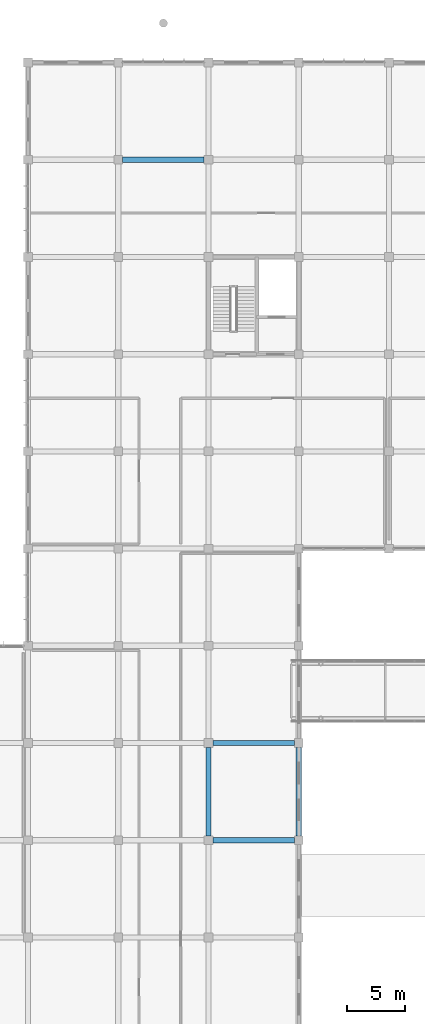
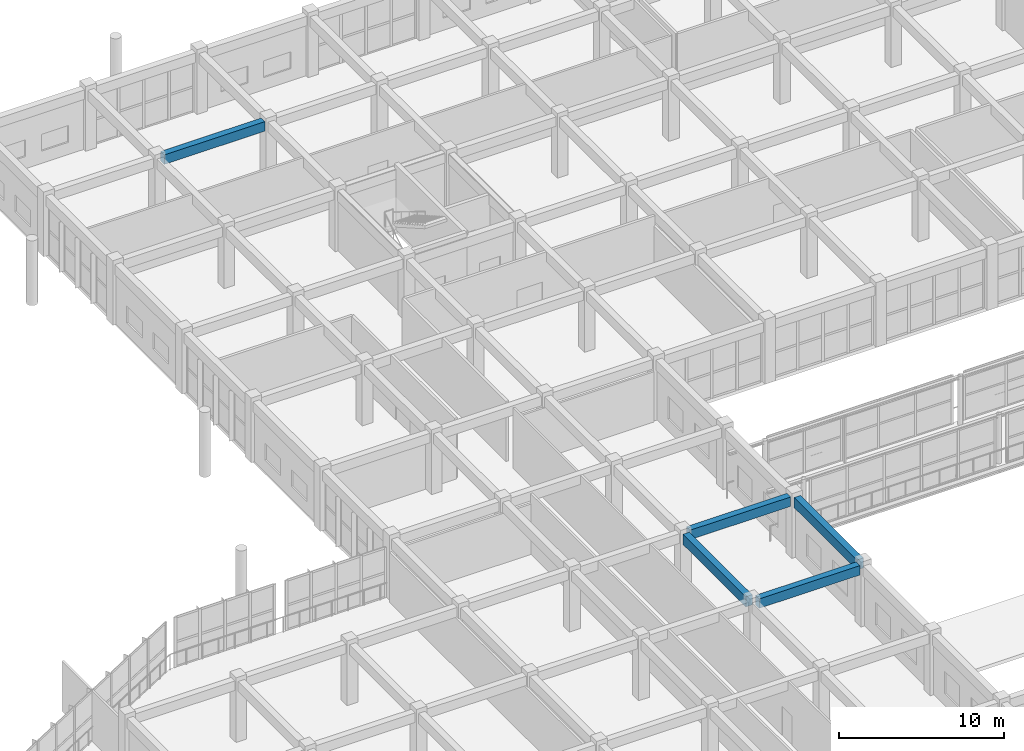
# One storey, part 56 of 167: 5 beams.
"""IFC4 building model written with IfcOpenShell, lengths in metres."""

from ifc_helpers import new_model, si_unit, direction, frame, origin, origin_2d, place, context, subcontext, project, spatial, rectangle, extrude, material, material_profile, profile_set, type_object, element, save


model = new_model("IFC4")

# Units and contexts
model_context = context("Model", 3, precision=1e-05, world=origin(), true_north=direction((0.0, 1.0)))
body_context = subcontext(model_context, "Body", "Model", "MODEL_VIEW")
ifc_project = project(units=[si_unit("LENGTHUNIT", "METRE"), si_unit("AREAUNIT", "SQUARE_METRE"), si_unit("VOLUMEUNIT", "CUBIC_METRE"), si_unit("PLANEANGLEUNIT", "RADIAN"), si_unit("MASSUNIT", "GRAM", prefix="KILO")], contexts=[model_context])

# Site, building, storey
site_placement = place(None, origin())
site = spatial("IfcSite", under=ifc_project, at=site_placement, CompositionType="ELEMENT")
building_placement = place(site_placement, origin())
building = spatial("IfcBuilding", under=site, at=building_placement, Name="Zizhar Promenade General Hospital", CompositionType="ELEMENT")
storey_placement = place(building_placement, frame((0.0, 0.0, 9.60009765625)))
storey = spatial("IfcBuildingStorey", under=building, at=storey_placement, Name="L02", CompositionType="ELEMENT", Elevation=9.60009765625)

# Beams
ifc_material_1 = material(Name="Concrete C35/45", Category="concrete")
ifc_material_profile_1 = material_profile(ifc_material_1, rectangle(XDim=0.449951171875, YDim=0.699951171875, at=origin_2d()))
ifc_profile_set_1 = profile_set([ifc_material_profile_1], Name="Concrete C35/45")
beam_type_1 = type_object("IfcBeamType", Name="BM-RC-450x700", PredefinedType="BEAM", material=ifc_profile_set_1)
beam_placement = place(storey_placement, frame((54.97509765625, 126.0, 4.119873046875), z_axis=(1.0, 0.0, 0.0), x_axis=(0.0, 1.0, 0.0)))
element("IfcBeam", 1, at=beam_placement, inside=storey, type_object=beam_type_1, Name="Grid Beam X L02 (7-15)", PredefinedType="BEAM", context=body_context, shape_type="SweptSolid", body=[
    extrude(rectangle(XDim=0.449951171875, YDim=0.699951171875, at=origin_2d()), origin(), (0.0, 0.0, 1.0), 7.0498046875),
])
for number, where, z_axis, x_axis, name in (
    (2, (62.77490234375, 67.199951171875, 4.119873046875), (1.0, 0.0, 0.0), (0.0, 1.0, 0.0), "Grid Beam X L02 (8-8)"),
    (3, (62.77490234375, 75.60009765625, 4.119873046875), (1.0, 0.0, 0.0), (0.0, 1.0, 0.0), "Grid Beam X L02 (8-9)"),
):
    element("IfcBeam", number, at=place(storey_placement, frame(where, z_axis=z_axis, x_axis=x_axis)), inside=storey, type_object=beam_type_1, Name=name, PredefinedType="BEAM", context=body_context, shape_type="SweptSolid", body=[
        extrude(rectangle(XDim=0.449951171875, YDim=0.699951171875, at=origin_2d()), origin(), (0.0, 0.0, 1.0), 7.050048828125),
    ])
ifc_material_2 = material(Name="Concrete C35/45", Category="concrete")
ifc_material_profile_2 = material_profile(ifc_material_2, rectangle(XDim=0.449951171875, YDim=0.75, at=origin_2d()))
ifc_profile_set_2 = profile_set([ifc_material_profile_2], Name="Concrete C35/45")
beam_type_2 = type_object("IfcBeamType", Name="BM-RC-450x750", PredefinedType="BEAM", material=ifc_profile_set_2)
for number, where, z_axis, x_axis, name in (
    (4, (62.39990234375, 67.574951171875, 4.094970703125), (0.0, 1.0, 0.0), (-1.0, 0.0, 0.0), "Grid Beam Y L02 (8-8)"),
    (5, (70.199951171875, 67.574951171875, 4.094970703125), (0.0, 1.0, 0.0), (-1.0, 0.0, 0.0), "Grid Beam Y L02 (9-8)"),
):
    element("IfcBeam", number, at=place(storey_placement, frame(where, z_axis=z_axis, x_axis=x_axis)), inside=storey, type_object=beam_type_2, Name=name, PredefinedType="BEAM", context=body_context, shape_type="SweptSolid", body=[
        extrude(rectangle(XDim=0.449951171875, YDim=0.75, at=origin_2d()), origin(), (0.0, 0.0, 1.0), 7.650146484375),
    ])

save(model, "model.ifc")
